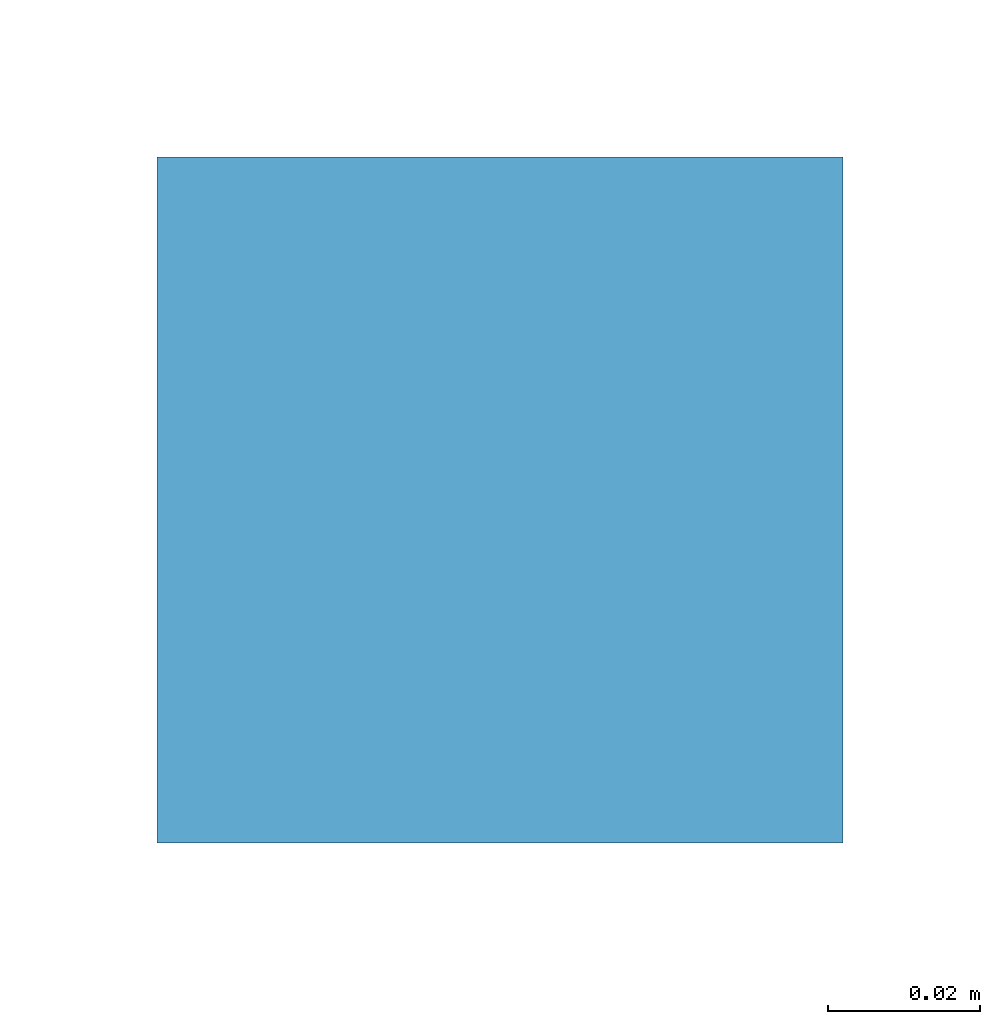
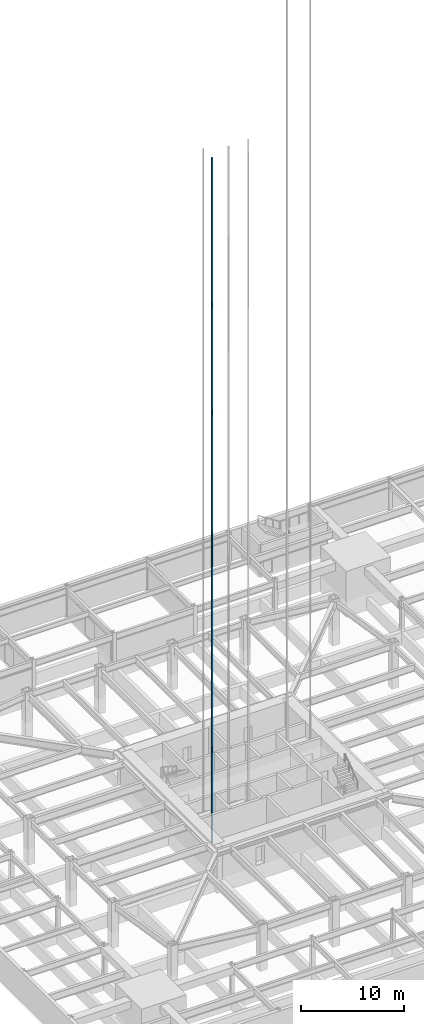
# One storey, part 19 of 35: 1 discrete accessory.
"""IFC4 building model written with IfcOpenShell, lengths in metres."""

from ifc_helpers import new_model, si_unit, direction, frame, origin, origin_2d, place, context, subcontext, project, spatial, rectangle, extrude, material, element, save


model = new_model("IFC4")

# Units and contexts
model_context = context("Model", 3, precision=1e-05, world=origin(), true_north=direction((0.0, 1.0)))
body_context = subcontext(model_context, "Body", "Model", "MODEL_VIEW")
ifc_project = project(units=[si_unit("LENGTHUNIT", "METRE"), si_unit("AREAUNIT", "SQUARE_METRE"), si_unit("VOLUMEUNIT", "CUBIC_METRE"), si_unit("PLANEANGLEUNIT", "RADIAN"), si_unit("MASSUNIT", "GRAM", prefix="KILO")], contexts=[model_context])

# Site, building, storey
site_placement = place(None, origin())
site = spatial("IfcSite", under=ifc_project, at=site_placement, CompositionType="ELEMENT")
building_placement = place(site_placement, origin())
building = spatial("IfcBuilding", under=site, at=building_placement, Name="Iwan Alto Co-Living Towers", CompositionType="ELEMENT")
storey_placement = place(building_placement, frame((0.0, 0.0, -7.199951171875)))
storey = spatial("IfcBuildingStorey", under=building, at=storey_placement, Name="B2", CompositionType="ELEMENT", Elevation=-7.199951171875)

# Discrete accessory
ifc_material = material(Name="Steel ASTM A36", Category="steel")
placement = place(storey_placement, frame((-6.83740234375, -3.0, 0.0), z_axis=(0.0, 0.0, 1.0), x_axis=(1.0, 0.0, 0.0)))
discrete_accessory_placement = place(placement, origin())
element("IfcDiscreteAccessory", 1, at=discrete_accessory_placement, inside=storey, material=ifc_material, Name="Lift P1-1 guide rail 1", ObjectType="Lift guide rail", PredefinedType="USERDEFINED", context=body_context, shape_type="SweptSolid", body=[
    extrude(rectangle(XDim=0.09, YDim=0.09, at=origin_2d()), frame((0.0, -0.85009765625, -0.199951171875)), (0.0, 0.0, 1.0), 80.800048828125),
])

save(model, "model.ifc")
